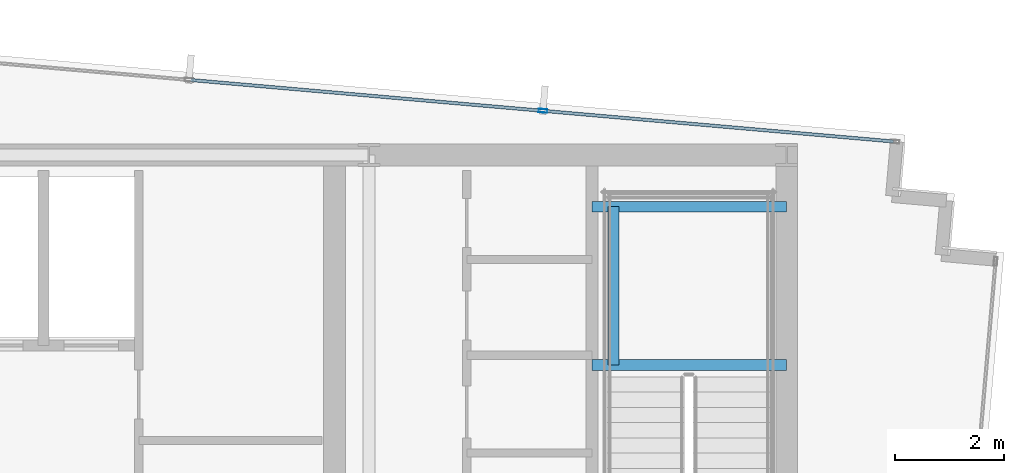
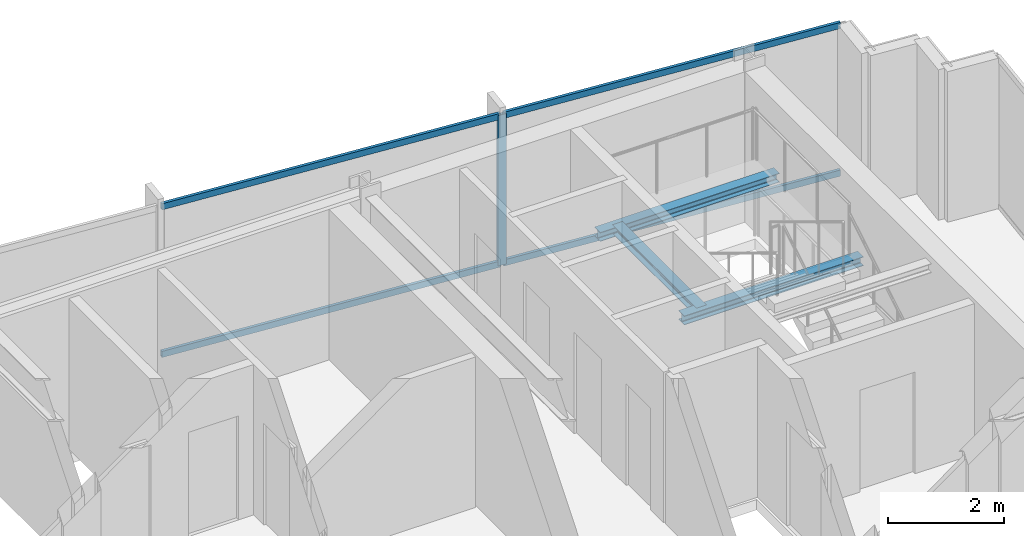
# One storey, part 20 of 32: 5 members, 3 beams, 1 element without a shape of its own.
"""IFC4 building model written with IfcOpenShell, lengths in metres."""

from ifc_helpers import new_model, si_unit, direction, frame, origin, origin_2d, place, context, subcontext, project, spatial, hollow_rectangle, i_section, extrude, material, material_profile, profile_set, type_object, element, aggregate, save


model = new_model("IFC4")

# Units and contexts
model_context = context("Model", 3, precision=1e-05, world=origin(), true_north=direction((0.0, 1.0)))
body_context = subcontext(model_context, "Body", "Model", "MODEL_VIEW")
ifc_project = project(units=[si_unit("LENGTHUNIT", "METRE"), si_unit("AREAUNIT", "SQUARE_METRE"), si_unit("VOLUMEUNIT", "CUBIC_METRE"), si_unit("PLANEANGLEUNIT", "RADIAN"), si_unit("MASSUNIT", "GRAM", prefix="KILO")], contexts=[model_context])

# Site, building, storey
site_placement = place(None, origin())
site = spatial("IfcSite", under=ifc_project, at=site_placement, CompositionType="ELEMENT")
building_placement = place(site_placement, origin())
building = spatial("IfcBuilding", under=site, at=building_placement, Name="Yelkora Congress Tower", CompositionType="ELEMENT")
storey_placement = place(building_placement, frame((0.0, 0.0, 265.89990234375)))
storey = spatial("IfcBuildingStorey", under=building, at=storey_placement, Name="L74", CompositionType="ELEMENT", Elevation=265.89990234375)

# Beams
ifc_material_1 = material(Name="Steel S355J2", Category="steel")
ifc_material_profile_1 = material_profile(ifc_material_1, i_section(OverallWidth=0.199951171875, OverallDepth=0.18994140625, WebThickness=0.006591796875, FlangeThickness=0.010009765625, FilletRadius=0.01806640625, at=origin_2d()), Name="HEA 200")
ifc_profile_set_1 = profile_set([ifc_material_profile_1], Name="Steel S355J2")
beam_type = type_object("IfcBeamType", Name="BM-LAND-HEA200", PredefinedType="BEAM", material=ifc_profile_set_1)
for number, where, z_axis, x_axis, name in (
    (1, (50.179931640625, 42.340087890625, 1.384765625), (1.0, 0.0, 0.0), (0.0, 1.0, 0.0), "ST-02 L74 Landing Header Beam 1S"),
    (2, (50.179931640625, 45.25, 1.384765625), (1.0, 0.0, 0.0), (0.0, 1.0, 0.0), "ST-02 L74 Landing Header Beam 1N"),
):
    element("IfcBeam", number, at=place(storey_placement, frame(where, z_axis=z_axis, x_axis=x_axis)), inside=storey, type_object=beam_type, Name=name, PredefinedType="BEAM", context=body_context, shape_type="SweptSolid", body=[
        extrude(i_section(OverallWidth=0.199951171875, OverallDepth=0.18994140625, WebThickness=0.006591796875, FlangeThickness=0.010009765625, FilletRadius=0.01806640625, at=origin_2d()), origin(), (0.0, 0.0, 1.0), 3.580078125),
    ])
beam_placement = place(storey_placement, frame((50.580078125, 42.340087890625, 1.384765625), z_axis=(0.0, 1.0, 0.0), x_axis=(-1.0, 0.0, 0.0)))
element("IfcBeam", 3, at=beam_placement, inside=storey, type_object=beam_type, Name="ST-02 L74 Landing Trimmer Beam 1M", PredefinedType="BEAM", context=body_context, shape_type="SweptSolid", body=[
    extrude(i_section(OverallWidth=0.199951171875, OverallDepth=0.18994140625, WebThickness=0.006591796875, FlangeThickness=0.010009765625, FilletRadius=0.01806640625, at=origin_2d()), origin(), (0.0, 0.0, 1.0), 2.909912109375),
])

# Curtain wall, members
ifc_material_2 = material(Name="Anodised aluminium and insulated glass", Category="aluminium")
curtain_wall_type = type_object("IfcCurtainWallType", Name="CW-SYS-B5", PredefinedType="NOTDEFINED", material=ifc_material_2)
curtain_wall_placement = place(storey_placement, origin())
curtain_wall = element("IfcCurtainWall", 4, at=curtain_wall_placement, inside=storey, type_object=curtain_wall_type, Name="L74 Unitised Curtain Wall 10", PredefinedType="NOTDEFINED")
ifc_material_3 = material(Name="Anodised aluminium 6063-T6", Category="aluminium")
ifc_material_profile_2 = material_profile(ifc_material_3, hollow_rectangle(XDim=0.06494140625, YDim=0.159912109375, WallThickness=0.00390625, at=origin_2d()), Name="ALU 65x160x4")
ifc_profile_set_2 = profile_set([ifc_material_profile_2], Name="Anodised aluminium 6063-T6")
member_type_1 = type_object("IfcMemberType", Name="MEM-ML-B5", PredefinedType="MULLION", material=ifc_profile_set_2)
member_1_placement = place(storey_placement, frame((49.279541015625, 47.01220703125, 0.0), z_axis=(0.0, 0.0, 1.0), x_axis=(0.087156639893, 0.996194619601, 0.0)))
member_1 = element("IfcMember", 5, at=member_1_placement, type_object=member_type_1, Name="CW-B5 mullion 7", PredefinedType="MULLION", context=body_context, shape_type="SweptSolid", body=[
    extrude(hollow_rectangle(XDim=0.06494140625, YDim=0.159912109375, WallThickness=0.00390625, at=origin_2d()), origin(), (0.0, 0.0, 1.0), 3.18017578125),
])
ifc_material_profile_3 = material_profile(ifc_material_3, hollow_rectangle(XDim=0.06005859375, YDim=0.1298828125, WallThickness=0.00390625, at=origin_2d()), Name="ALU 60x130x4")
ifc_profile_set_3 = profile_set([ifc_material_profile_3], Name="Anodised aluminium 6063-T6")
member_type_2 = type_object("IfcMemberType", Name="MEM-TR-B5", PredefinedType="USERDEFINED", material=ifc_profile_set_3)
member_2_placement = place(storey_placement, frame((42.80517578125, 47.57861328125, 0.030029296875), z_axis=(0.996196257862, -0.087137912649, 0.0), x_axis=(0.087137912649, 0.996196257862, 0.0)))
member_2 = element("IfcMember", 6, at=member_2_placement, type_object=member_type_2, Name="CW-B5 transom 6.1", ObjectType="TRANSOM", PredefinedType="USERDEFINED", context=body_context, shape_type="SweptSolid", body=[
    extrude(hollow_rectangle(XDim=0.06005859375, YDim=0.1298828125, WallThickness=0.00390625, at=origin_2d()), origin(), (0.0, 0.0, 1.0), 6.466552734375),
])
member_3_placement = place(storey_placement, frame((42.80517578125, 47.57861328125, 3.150146484375), z_axis=(0.996196257862, -0.087137912649, 0.0), x_axis=(0.087137912649, 0.996196257862, 0.0)))
member_3 = element("IfcMember", 7, at=member_3_placement, type_object=member_type_2, Name="CW-B5 transom 6.2", ObjectType="TRANSOM", PredefinedType="USERDEFINED", context=body_context, shape_type="SweptSolid", body=[
    extrude(hollow_rectangle(XDim=0.06005859375, YDim=0.1298828125, WallThickness=0.00390625, at=origin_2d()), origin(), (0.0, 0.0, 1.0), 6.466552734375),
])
member_4_placement = place(storey_placement, frame((49.311767578125, 47.009521484375, 0.030029296875), z_axis=(0.996194170551, -0.08716177236, 0.0), x_axis=(0.08716177236, 0.996194170551, 0.0)))
member_4 = element("IfcMember", 8, at=member_4_placement, type_object=member_type_2, Name="CW-B5 transom 7.1", ObjectType="TRANSOM", PredefinedType="USERDEFINED", context=body_context, shape_type="SweptSolid", body=[
    extrude(hollow_rectangle(XDim=0.06005859375, YDim=0.1298828125, WallThickness=0.00390625, at=origin_2d()), origin(), (0.0, 0.0, 1.0), 6.433837890625),
])
member_5_placement = place(storey_placement, frame((49.311767578125, 47.009521484375, 3.150146484375), z_axis=(0.996194170551, -0.08716177236, 0.0), x_axis=(0.08716177236, 0.996194170551, 0.0)))
member_5 = element("IfcMember", 9, at=member_5_placement, type_object=member_type_2, Name="CW-B5 transom 7.2", ObjectType="TRANSOM", PredefinedType="USERDEFINED", context=body_context, shape_type="SweptSolid", body=[
    extrude(hollow_rectangle(XDim=0.06005859375, YDim=0.1298828125, WallThickness=0.00390625, at=origin_2d()), origin(), (0.0, 0.0, 1.0), 6.433837890625),
])
aggregate(curtain_wall, [member_1, member_2, member_3, member_4, member_5])

save(model, "model.ifc")
